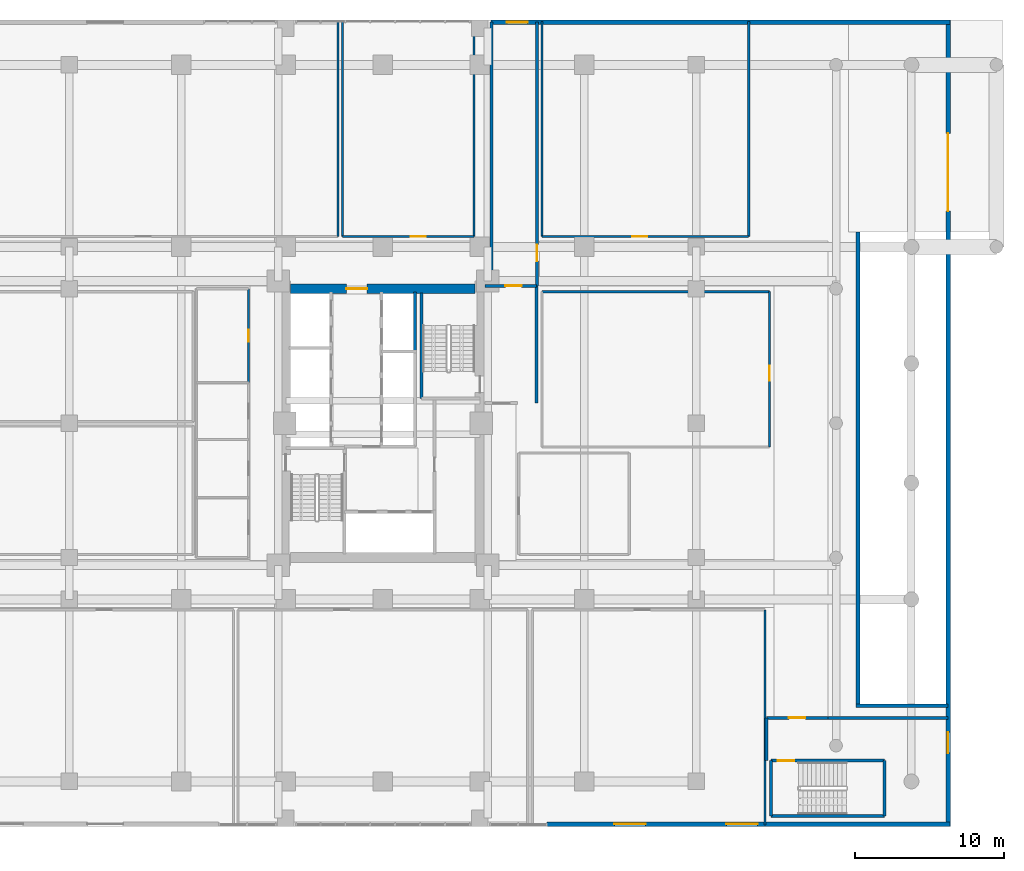
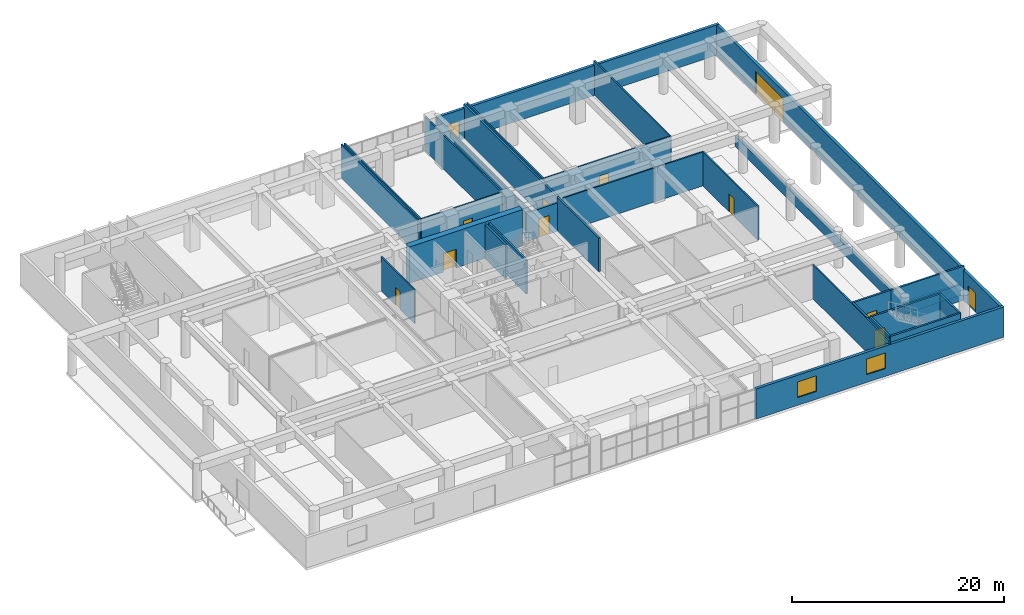
# One storey, part 16 of 24: 30 walls, 12 doors, 2 windows, 14 openings.
"""IFC4 building model written with IfcOpenShell, lengths in metres."""

from ifc_helpers import new_model, si_unit, direction, frame, frame_2d, origin, place, context, subcontext, project, spatial, rectangle, extrude, source, transform, mapped, material, layer, layer_set, type_object, element, fill, save


model = new_model("IFC4")

# Units and contexts
model_context = context("Model", 3, precision=1e-05, world=origin(), true_north=direction((0.0, 1.0)))
body_context = subcontext(model_context, "Body", "Model", "MODEL_VIEW")
ifc_project = project(units=[si_unit("LENGTHUNIT", "METRE"), si_unit("AREAUNIT", "SQUARE_METRE"), si_unit("VOLUMEUNIT", "CUBIC_METRE"), si_unit("PLANEANGLEUNIT", "RADIAN"), si_unit("MASSUNIT", "GRAM", prefix="KILO")], contexts=[model_context])

# Site, building, storey
site_placement = place(None, origin())
site = spatial("IfcSite", under=ifc_project, at=site_placement, CompositionType="ELEMENT")
building_placement = place(site_placement, origin())
building = spatial("IfcBuilding", under=site, at=building_placement, Name="Saelheon Loggia Tower", CompositionType="ELEMENT")
storey_placement = place(building_placement, origin())
storey = spatial("IfcBuildingStorey", under=building, at=storey_placement, Name="L00", CompositionType="ELEMENT", Elevation=0.0)

# Wall, opening, door
ifc_material_1 = material(Name="Concrete C60/75", Category="concrete")
ifc_layer_1 = layer(ifc_material_1, 0.64990234375)
ifc_layer_set_1 = layer_set([ifc_layer_1], Name="Concrete C60/75")
wall_type_1 = type_object("IfcWallType", Name="Wall_CoreShear_650", PredefinedType="SHEAR", material=ifc_layer_set_1)
wall_1_placement = place(storey_placement, frame((31.824951171875, 36.0, 0.0), z_axis=(0.0, 0.0, 1.0), x_axis=(1.0, 0.0, 0.0)))
wall_1 = element("IfcWall", 1, at=wall_1_placement, inside=storey, type_object=wall_type_1, Name="L00 Core Shear Wall North", PredefinedType="SHEAR", context=body_context, shape_type="SweptSolid", body=[
    extrude(rectangle(XDim=12.35009765625, YDim=0.64990234375, at=frame_2d((6.175048828125, 0.0))), origin(), (0.0, 0.0, 1.0), 4.199951171875),
])
opening_1_placement = place(wall_1_placement, frame((5.125, 0.0, 0.0), z_axis=(0.0, 0.0, 1.0), x_axis=(-1.0, 0.0, 0.0)))
opening_1 = element("IfcOpeningElement", 2, at=opening_1_placement, cuts=wall_1, Name="Opening D-FD2L", PredefinedType="OPENING", context=body_context, shape_type="SweptSolid", body=[
    extrude(rectangle(XDim=1.39990234375, YDim=2.14990234375, at=frame_2d((0.699951171875, 1.074951171875))), frame((0.0, 0.3369140625, 0.0), z_axis=(0.0, -1.0, 0.0), x_axis=(1.0, 0.0, 0.0)), (0.0, 0.0, 1.0), 0.673828125),
])
ifc_material_2 = material(Name="Galvanised Steel Glazed Lobby Fire Door", Category="steel")
door_type_1 = type_object("IfcDoorType", Name="Door_Fire_FD60_1400", OperationType="NOTDEFINED", PredefinedType="DOOR", material=ifc_material_2)
shared_shape_1 = source(origin(), body_context, "Body", "SweptSolid", [
    extrude(rectangle(XDim=1.39990234375, YDim=2.14990234375, at=frame_2d((0.699951171875, 1.074951171875))), frame((0.0, 0.02490234375, 0.0), z_axis=(0.0, -1.0, 0.0), x_axis=(1.0, 0.0, 0.0)), (0.0, 0.0, 1.0), 0.050048828125),
])
door_1_placement = place(opening_1_placement, origin())
door_1 = element("IfcDoor", 3, at=door_1_placement, inside=storey, type_object=door_type_1, Name="L00 Passenger Lift Lobby Main Door", OperationType="SINGLE_SWING_RIGHT", OverallHeight=2.14990234375, OverallWidth=1.39990234375, PredefinedType="DOOR", context=body_context, shape_type="MappedRepresentation", body=[
    mapped(shared_shape_1, transform((0.0, 0.0, 0.0), scale=1.0)),
])
fill(opening_1, door_1)

# Wall, openings, windows
ifc_material_3 = material(Name="Architectural Precast Concrete C40/50", Category="concrete")
ifc_layer_2 = layer(ifc_material_3, 0.300048828125)
ifc_layer_set_2 = layer_set([ifc_layer_2], Name="Architectural Precast Concrete C40/50")
wall_type_2 = type_object("IfcWallType", Name="Wall_Ext_Podium_300", PredefinedType="SOLIDWALL", material=ifc_layer_set_2)
wall_2_placement = place(storey_placement, frame((49.0, 0.14990234375, 0.0), z_axis=(0.0, 0.0, 1.0), x_axis=(1.0, 0.0, 0.0)))
wall_2 = element("IfcWall", 4, at=wall_2_placement, inside=storey, type_object=wall_type_2, Name="L00 Podium South-East Precast Wall", PredefinedType="SOLIDWALL", context=body_context, shape_type="SweptSolid", body=[
    extrude(rectangle(XDim=27.0, YDim=0.300048828125, at=frame_2d((13.5, 0.0))), origin(), (0.0, 0.0, 1.0), 3.47998046875),
])
opening_2_placement = place(wall_2_placement, frame((4.5, 0.0, 0.89990234375)))
opening_2 = element("IfcOpeningElement", 5, at=opening_2_placement, cuts=wall_2, Name="Opening WN-05", PredefinedType="OPENING", context=body_context, shape_type="SweptSolid", body=[
    extrude(rectangle(XDim=2.10009765625, YDim=1.800048828125, at=frame_2d((1.050048828125, 0.89990234375))), frame((0.0, 0.162109375, 0.0), z_axis=(0.0, -1.0, 0.0), x_axis=(1.0, 0.0, 0.0)), (0.0, 0.0, 1.0), 0.323974609375),
])
opening_3_placement = place(wall_2_placement, frame((12.0, 0.0, 0.89990234375)))
opening_3 = element("IfcOpeningElement", 6, at=opening_3_placement, cuts=wall_2, Name="Opening WN-05", PredefinedType="OPENING", context=body_context, shape_type="SweptSolid", body=[
    extrude(rectangle(XDim=2.10009765625, YDim=1.800048828125, at=frame_2d((1.050048828125, 0.89990234375))), frame((0.0, 0.162109375, 0.0), z_axis=(0.0, -1.0, 0.0), x_axis=(1.0, 0.0, 0.0)), (0.0, 0.0, 1.0), 0.323974609375),
])
ifc_material_4 = material(Name="Thermal-Break Aluminium and Triple Low-E Glass", Category="aluminium")
window_type = type_object("IfcWindowType", Name="Win_Clinic_2100x1800", PartitioningType="SINGLE_PANEL", PredefinedType="WINDOW", material=ifc_material_4)
shared_shape_2 = source(origin(), body_context, "Body", "SweptSolid", [
    extrude(rectangle(XDim=2.10009765625, YDim=1.800048828125, at=frame_2d((1.050048828125, 0.89990234375))), frame((0.0, 0.030029296875, 0.0), z_axis=(0.0, -1.0, 0.0), x_axis=(1.0, 0.0, 0.0)), (0.0, 0.0, 1.0), 0.06005859375),
])
window_1_placement = place(opening_2_placement, origin())
window_1 = element("IfcWindow", 7, at=window_1_placement, inside=storey, type_object=window_type, Name="L00 East Frontage Window 1", OverallHeight=1.800048828125, OverallWidth=2.10009765625, PartitioningType="SINGLE_PANEL", PredefinedType="WINDOW", context=body_context, shape_type="MappedRepresentation", body=[
    mapped(shared_shape_2, transform((0.0, 0.0, 0.0), scale=1.0)),
])
fill(opening_2, window_1)
window_2_placement = place(opening_3_placement, origin())
window_2 = element("IfcWindow", 8, at=window_2_placement, inside=storey, type_object=window_type, Name="L00 East Frontage Window 2", OverallHeight=1.800048828125, OverallWidth=2.10009765625, PartitioningType="SINGLE_PANEL", PredefinedType="WINDOW", context=body_context, shape_type="MappedRepresentation", body=[
    mapped(shared_shape_2, transform((0.0, 0.0, 0.0), scale=1.0)),
])
fill(opening_3, window_2)

# Wall, opening, door
wall_3_placement = place(storey_placement, frame((45.25, 53.85009765625, 0.0), z_axis=(0.0, 0.0, 1.0), x_axis=(1.0, 0.0, 0.0)))
wall_3 = element("IfcWall", 9, at=wall_3_placement, inside=storey, type_object=wall_type_2, Name="L00 Podium North-East Precast Wall", PredefinedType="SOLIDWALL", context=body_context, shape_type="SweptSolid", body=[
    extrude(rectangle(XDim=30.75, YDim=0.300048828125, at=frame_2d((15.375, 0.0))), origin(), (0.0, 0.0, 1.0), 3.47998046875),
])
opening_4_placement = place(wall_3_placement, frame((1.050048828125, 0.0, 0.0)))
opening_4 = element("IfcOpeningElement", 10, at=opening_4_placement, cuts=wall_3, Name="Opening DEX-1", PredefinedType="OPENING", context=body_context, shape_type="SweptSolid", body=[
    extrude(rectangle(XDim=1.39990234375, YDim=2.199951171875, at=frame_2d((0.699951171875, 1.10009765625))), frame((0.0, 0.162109375, 0.0), z_axis=(0.0, -1.0, 0.0), x_axis=(1.0, 0.0, 0.0)), (0.0, 0.0, 1.0), 0.323974609375),
])
ifc_material_5 = material(Name="Galvanised Steel Exit Door", Category="steel")
door_type_2 = type_object("IfcDoorType", Name="Door_ExitDischarge_1400", OperationType="NOTDEFINED", PredefinedType="DOOR", material=ifc_material_5)
shared_shape_3 = source(origin(), body_context, "Body", "SweptSolid", [
    extrude(rectangle(XDim=1.39990234375, YDim=2.199951171875, at=frame_2d((0.699951171875, 1.10009765625))), frame((0.0, 0.02490234375, 0.0), z_axis=(0.0, -1.0, 0.0), x_axis=(1.0, 0.0, 0.0)), (0.0, 0.0, 1.0), 0.050048828125),
])
door_2_placement = place(opening_4_placement, origin())
door_2 = element("IfcDoor", 11, at=door_2_placement, inside=storey, type_object=door_type_2, Name="Stair ST2 Final Street Exit Door", OperationType="SINGLE_SWING_RIGHT", OverallHeight=2.199951171875, OverallWidth=1.39990234375, PredefinedType="DOOR", context=body_context, shape_type="MappedRepresentation", body=[
    mapped(shared_shape_3, transform((0.0, 0.0, 0.0), scale=1.0)),
])
fill(opening_4, door_2)

# Wall, openings, doors
wall_4_placement = place(storey_placement, frame((75.85009765625, 0.0, 0.0), z_axis=(0.0, 0.0, 1.0), x_axis=(0.0, 1.0, 0.0)))
wall_4 = element("IfcWall", 12, at=wall_4_placement, inside=storey, type_object=wall_type_2, Name="L00 Podium East Precast Wall", PredefinedType="SOLIDWALL", context=body_context, shape_type="SweptSolid", body=[
    extrude(rectangle(XDim=54.0, YDim=0.300048828125, at=frame_2d((27.0, 0.0))), origin(), (0.0, 0.0, 1.0), 3.47998046875),
])
opening_5_placement = place(wall_4_placement, frame((6.2998046875, 0.0, 0.0), z_axis=(0.0, 0.0, 1.0), x_axis=(-1.0, 0.0, 0.0)))
opening_5 = element("IfcOpeningElement", 13, at=opening_5_placement, cuts=wall_4, Name="Opening DEX-1", PredefinedType="OPENING", context=body_context, shape_type="SweptSolid", body=[
    extrude(rectangle(XDim=1.39990234375, YDim=2.199951171875, at=frame_2d((0.699951171875, 1.10009765625))), frame((0.0, 0.162109375, 0.0), z_axis=(0.0, -1.0, 0.0), x_axis=(1.0, 0.0, 0.0)), (0.0, 0.0, 1.0), 0.323974609375),
])
opening_6_placement = place(wall_4_placement, frame((41.199951171875, 0.0, 0.0)))
opening_6 = element("IfcOpeningElement", 14, at=opening_6_placement, cuts=wall_4, Name="Opening VG1", PredefinedType="OPENING", context=body_context, shape_type="SweptSolid", body=[
    extrude(rectangle(XDim=5.199951171875, YDim=2.60009765625, at=frame_2d((2.60009765625, 1.300048828125))), frame((0.0, 0.162109375, 0.0), z_axis=(0.0, -1.0, 0.0), x_axis=(1.0, 0.0, 0.0)), (0.0, 0.0, 1.0), 0.323974609375),
])
door_3_placement = place(opening_5_placement, origin())
door_3 = element("IfcDoor", 15, at=door_3_placement, inside=storey, type_object=door_type_2, Name="Stair ST4 Final Street Exit Door", OperationType="SINGLE_SWING_RIGHT", OverallHeight=2.199951171875, OverallWidth=1.39990234375, PredefinedType="DOOR", context=body_context, shape_type="MappedRepresentation", body=[
    mapped(shared_shape_3, transform((0.0, 0.0, 0.0), scale=1.0)),
])
fill(opening_5, door_3)
ifc_material_6 = material(Name="Perforated Aluminium Security Shutter", Category="aluminium")
door_type_3 = type_object("IfcDoorType", Name="Gate_Vehicle_VG1", OperationType="ROLLINGUP", PredefinedType="GATE", material=ifc_material_6)
shared_shape_4 = source(origin(), body_context, "Body", "SweptSolid", [
    extrude(rectangle(XDim=5.199951171875, YDim=2.60009765625, at=frame_2d((2.60009765625, 1.300048828125))), frame((0.0, 0.02490234375, 0.0), z_axis=(0.0, -1.0, 0.0), x_axis=(1.0, 0.0, 0.0)), (0.0, 0.0, 1.0), 0.050048828125),
])
door_4_placement = place(opening_6_placement, origin())
door_4 = element("IfcDoor", 16, at=door_4_placement, inside=storey, type_object=door_type_3, Name="Basement Car Park Vehicle Entrance Shutter Gate VG1", OperationType="ROLLINGUP", OverallHeight=2.60009765625, OverallWidth=5.199951171875, PredefinedType="GATE", context=body_context, shape_type="MappedRepresentation", body=[
    mapped(shared_shape_4, transform((0.0, 0.0, 0.0), scale=1.0)),
])
fill(opening_6, door_4)

# Walls
ifc_layer_3 = layer(ifc_material_3, 0.25)
ifc_layer_set_3 = layer_set([ifc_layer_3], Name="Architectural Precast Concrete C40/50")
wall_type_3 = type_object("IfcWallType", Name="Wall_Parapet_250", PredefinedType="PARAPET", material=ifc_layer_set_3)
wall_5_placement = place(storey_placement, frame((69.824951171875, 7.949951171875, 0.0), z_axis=(0.0, 0.0, 1.0), x_axis=(0.0, 1.0, 0.0)))
element("IfcWall", 17, at=wall_5_placement, inside=storey, type_object=wall_type_3, Name="L00 Vehicle Ramp Well West Guard Wall", PredefinedType="PARAPET", context=body_context, shape_type="SweptSolid", body=[
    extrude(rectangle(XDim=31.85009765625, YDim=0.25, at=frame_2d((15.925048828125, 0.0))), origin(), (0.0, 0.0, 1.0), 1.25),
])
wall_6_placement = place(storey_placement, frame((69.699951171875, 8.074951171875, 0.0), z_axis=(0.0, 0.0, 1.0), x_axis=(1.0, 0.0, 0.0)))
element("IfcWall", 18, at=wall_6_placement, inside=storey, type_object=wall_type_3, Name="L00 Vehicle Ramp Well South Guard Wall", PredefinedType="PARAPET", context=body_context, shape_type="SweptSolid", body=[
    extrude(rectangle(XDim=6.150146484375, YDim=0.25, at=frame_2d((3.0751953125, 0.0))), origin(), (0.0, 0.0, 1.0), 1.25),
])

# Wall, opening, door
ifc_material_7 = material(Name="Lightweight Autoclaved Aerated Concrete Block and Acoustic Gypsum", Category="concrete")
ifc_layer_4 = layer(ifc_material_7, 0.14990234375)
ifc_layer_set_4 = layer_set([ifc_layer_4], Name="Lightweight Autoclaved Aerated Concrete Block and Acoustic Gypsum")
wall_type_4 = type_object("IfcWallType", Name="Wall_Part_150", PredefinedType="PARTITIONING", material=ifc_layer_set_4)
wall_7_placement = place(storey_placement, frame((29.0, 29.699951171875, 0.0), z_axis=(0.0, 0.0, 1.0), x_axis=(0.0, 1.0, 0.0)))
wall_7 = element("IfcWall", 19, at=wall_7_placement, inside=storey, type_object=wall_type_4, Name="PW-L00-WCS-E4", PredefinedType="PARTITIONING", context=body_context, shape_type="SweptSolid", body=[
    extrude(rectangle(XDim=6.300048828125, YDim=0.14990234375, at=frame_2d((3.14990234375, 0.0))), origin(), (0.0, 0.0, 1.0), 3.919921875),
])
opening_7_placement = place(wall_7_placement, frame((2.75, 0.0, 0.0)))
opening_7 = element("IfcOpeningElement", 20, at=opening_7_placement, cuts=wall_7, Name="Opening D-ST1", PredefinedType="OPENING", context=body_context, shape_type="SweptSolid", body=[
    extrude(rectangle(XDim=0.800048828125, YDim=2.050048828125, at=frame_2d((0.39990234375, 1.02490234375))), frame((0.0, 0.0869140625, 0.0), z_axis=(0.0, -1.0, 0.0), x_axis=(1.0, 0.0, 0.0)), (0.0, 0.0, 1.0), 0.173828125),
])
ifc_material_8 = material(Name="Powder-Coated Steel Store Door", Category="steel")
door_type_4 = type_object("IfcDoorType", Name="Door_Store_800", OperationType="NOTDEFINED", PredefinedType="DOOR", material=ifc_material_8)
shared_shape_5 = source(origin(), body_context, "Body", "SweptSolid", [
    extrude(rectangle(XDim=0.800048828125, YDim=2.050048828125, at=frame_2d((0.39990234375, 1.02490234375))), frame((0.0, 0.02490234375, 0.0), z_axis=(0.0, -1.0, 0.0), x_axis=(1.0, 0.0, 0.0)), (0.0, 0.0, 1.0), 0.050048828125),
])
door_5_placement = place(opening_7_placement, origin())
door_5 = element("IfcDoor", 21, at=door_5_placement, inside=storey, type_object=door_type_4, Name="L00 Clinic Janitor Door", OperationType="SINGLE_SWING_RIGHT", OverallHeight=2.050048828125, OverallWidth=0.800048828125, PredefinedType="DOOR", context=body_context, shape_type="MappedRepresentation", body=[
    mapped(shared_shape_5, transform((0.0, 0.0, 0.0), scale=1.0)),
])
fill(opening_7, door_5)

# Wall
wall_8_placement = place(storey_placement, frame((35.0, 39.5, 0.0), z_axis=(0.0, 0.0, 1.0), x_axis=(0.0, 1.0, 0.0)))
element("IfcWall", 22, at=wall_8_placement, inside=storey, type_object=wall_type_4, Name="PW-L00-RESLOB-E", PredefinedType="PARTITIONING", context=body_context, shape_type="SweptSolid", body=[
    extrude(rectangle(XDim=14.39990234375, YDim=0.14990234375, at=frame_2d((7.199951171875, 0.0))), origin(), (0.0, 0.0, 1.0), 3.919921875),
])

# Wall, opening, door
wall_9_placement = place(storey_placement, frame((35.300048828125, 39.5, 0.0), z_axis=(0.0, 0.0, 1.0), x_axis=(1.0, 0.0, 0.0)))
wall_9 = element("IfcWall", 23, at=wall_9_placement, inside=storey, type_object=wall_type_4, Name="PW-L00-CAFE-S", PredefinedType="PARTITIONING", context=body_context, shape_type="SweptSolid", body=[
    extrude(rectangle(XDim=8.800048828125, YDim=0.14990234375, at=frame_2d((4.39990234375, 0.0))), origin(), (0.0, 0.0, 1.0), 3.919921875),
])
opening_8_placement = place(wall_9_placement, frame((4.565673828125, 0.0, 0.0)))
opening_8 = element("IfcOpeningElement", 24, at=opening_8_placement, cuts=wall_9, Name="Opening D-IN1", PredefinedType="OPENING", context=body_context, shape_type="SweptSolid", body=[
    extrude(rectangle(XDim=1.0, YDim=2.10009765625, at=frame_2d((0.5, 1.050048828125))), frame((0.0, 0.0869140625, 0.0), z_axis=(0.0, -1.0, 0.0), x_axis=(1.0, 0.0, 0.0)), (0.0, 0.0, 1.0), 0.173828125),
])
ifc_material_9 = material(Name="Engineered Oak Acoustic Flush Door", Category="timber")
door_type_5 = type_object("IfcDoorType", Name="Door_Int_1000", OperationType="NOTDEFINED", PredefinedType="DOOR", material=ifc_material_9)
shared_shape_6 = source(origin(), body_context, "Body", "SweptSolid", [
    extrude(rectangle(XDim=1.0, YDim=2.10009765625, at=frame_2d((0.5, 1.050048828125))), frame((0.0, 0.02490234375, 0.0), z_axis=(0.0, -1.0, 0.0), x_axis=(1.0, 0.0, 0.0)), (0.0, 0.0, 1.0), 0.050048828125),
])
door_6_placement = place(opening_8_placement, origin())
door_6 = element("IfcDoor", 25, at=door_6_placement, inside=storey, type_object=door_type_5, Name="L00 Community Health Education Seminar Hall Door", OperationType="SINGLE_SWING_LEFT", OverallHeight=2.10009765625, OverallWidth=1.0, PredefinedType="DOOR", context=body_context, shape_type="MappedRepresentation", body=[
    mapped(shared_shape_6, transform((0.0, 0.0, 0.0), scale=1.0)),
])
fill(opening_8, door_6)

# Walls
for number, where, z_axis, x_axis, name in (
    (26, (35.300048828125, 39.5, 0.0), (0.0, 0.0, 1.0), (0.0, 1.0, 0.0), "PW-L00-CAFE-W"),
    (27, (44.10009765625, 39.5, 0.0), (0.0, 0.0, 1.0), (0.0, 1.0, 0.0), "PW-L00-CAFE-E"),
):
    element("IfcWall", number, at=place(storey_placement, frame(where, z_axis=z_axis, x_axis=x_axis)), inside=storey, type_object=wall_type_4, Name=name, PredefinedType="PARTITIONING", context=body_context, shape_type="SweptSolid", body=[
        extrude(rectangle(XDim=14.39990234375, YDim=0.14990234375, at=frame_2d((7.199951171875, 0.0))), origin(), (0.0, 0.0, 1.0), 3.919921875),
    ])

# Wall, opening, door
wall_10_placement = place(storey_placement, frame((48.64990234375, 39.5, 0.0), z_axis=(0.0, 0.0, 1.0), x_axis=(1.0, 0.0, 0.0)))
wall_10 = element("IfcWall", 28, at=wall_10_placement, inside=storey, type_object=wall_type_4, Name="PW-L00-CAFE2-S", PredefinedType="PARTITIONING", context=body_context, shape_type="SweptSolid", body=[
    extrude(rectangle(XDim=13.85009765625, YDim=0.14990234375, at=frame_2d((6.925048828125, 0.0))), origin(), (0.0, 0.0, 1.0), 3.919921875),
])
opening_9_placement = place(wall_10_placement, frame((6.04541015625, 0.0, 0.0)))
opening_9 = element("IfcOpeningElement", 29, at=opening_9_placement, cuts=wall_10, Name="Opening D-IN1", PredefinedType="OPENING", context=body_context, shape_type="SweptSolid", body=[
    extrude(rectangle(XDim=1.0, YDim=2.10009765625, at=frame_2d((0.5, 1.050048828125))), frame((0.0, 0.0869140625, 0.0), z_axis=(0.0, -1.0, 0.0), x_axis=(1.0, 0.0, 0.0)), (0.0, 0.0, 1.0), 0.173828125),
])
door_7_placement = place(opening_9_placement, origin())
door_7 = element("IfcDoor", 30, at=door_7_placement, inside=storey, type_object=door_type_5, Name="L00 Outpatient Preventive Health Lecture Room Door", OperationType="SINGLE_SWING_RIGHT", OverallHeight=2.10009765625, OverallWidth=1.0, PredefinedType="DOOR", context=body_context, shape_type="MappedRepresentation", body=[
    mapped(shared_shape_6, transform((0.0, 0.0, 0.0), scale=1.0)),
])
fill(opening_9, door_7)

# Walls
for number, where, z_axis, x_axis, name in (
    (31, (48.64990234375, 39.5, 0.0), (0.0, 0.0, 1.0), (0.0, 1.0, 0.0), "PW-L00-CAFE2-W"),
    (32, (62.5, 39.5, 0.0), (0.0, 0.0, 1.0), (0.0, 1.0, 0.0), "PW-L00-CAFE2-E"),
    (33, (63.60009765625, 0.10009765625, 0.0), (0.0, 0.0, 1.0), (0.0, 1.0, 0.0), "PW-L00-LOAD-E"),
):
    element("IfcWall", number, at=place(storey_placement, frame(where, z_axis=z_axis, x_axis=x_axis)), inside=storey, type_object=wall_type_4, Name=name, PredefinedType="PARTITIONING", context=body_context, shape_type="SweptSolid", body=[
        extrude(rectangle(XDim=14.39990234375, YDim=0.14990234375, at=frame_2d((7.199951171875, 0.0))), origin(), (0.0, 0.0, 1.0), 3.919921875),
    ])
wall_11_placement = place(storey_placement, frame((48.64990234375, 35.800048828125, 0.0), z_axis=(0.0, 0.0, 1.0), x_axis=(1.0, 0.0, 0.0)))
element("IfcWall", 34, at=wall_11_placement, inside=storey, type_object=wall_type_4, Name="PW-L00-ADMIN0-N", PredefinedType="PARTITIONING", context=body_context, shape_type="SweptSolid", body=[
    extrude(rectangle(XDim=15.25, YDim=0.14990234375, at=frame_2d((7.625, 0.0))), origin(), (0.0, 0.0, 1.0), 3.919921875),
])

# Wall, opening, door
wall_12_placement = place(storey_placement, frame((63.89990234375, 25.39990234375, 0.0), z_axis=(0.0, 0.0, 1.0), x_axis=(0.0, 1.0, 0.0)))
wall_12 = element("IfcWall", 35, at=wall_12_placement, inside=storey, type_object=wall_type_4, Name="PW-L00-ADMIN0-E", PredefinedType="PARTITIONING", context=body_context, shape_type="SweptSolid", body=[
    extrude(rectangle(XDim=10.400146484375, YDim=0.14990234375, at=frame_2d((5.2001953125, 0.0))), origin(), (0.0, 0.0, 1.0), 3.919921875),
])
opening_10_placement = place(wall_12_placement, frame((4.427978515625, 0.0, 0.0)))
opening_10 = element("IfcOpeningElement", 36, at=opening_10_placement, cuts=wall_12, Name="Opening D-IN1", PredefinedType="OPENING", context=body_context, shape_type="SweptSolid", body=[
    extrude(rectangle(XDim=1.0, YDim=2.10009765625, at=frame_2d((0.5, 1.050048828125))), frame((0.0, 0.0869140625, 0.0), z_axis=(0.0, -1.0, 0.0), x_axis=(1.0, 0.0, 0.0)), (0.0, 0.0, 1.0), 0.173828125),
])
door_8_placement = place(opening_10_placement, origin())
door_8 = element("IfcDoor", 37, at=door_8_placement, inside=storey, type_object=door_type_5, Name="L00 Health Centre Records Open Plan Office Door", OperationType="SINGLE_SWING_RIGHT", OverallHeight=2.10009765625, OverallWidth=1.0, PredefinedType="DOOR", context=body_context, shape_type="MappedRepresentation", body=[
    mapped(shared_shape_6, transform((0.0, 0.0, 0.0), scale=1.0)),
])
fill(opening_10, door_8)

# Walls
ifc_material_10 = material(Name="Concrete C40/50", Category="concrete")
ifc_layer_5 = layer(ifc_material_10, 0.199951171875)
ifc_layer_set_5 = layer_set([ifc_layer_5], Name="Concrete C40/50")
wall_type_5 = type_object("IfcWallType", Name="Wall_Shaft_200", PredefinedType="PARTITIONING", material=ifc_layer_set_5)
wall_13_placement = place(storey_placement, frame((40.14990234375, 31.800048828125, 0.0), z_axis=(0.0, 0.0, 1.0), x_axis=(0.0, 1.0, 0.0)))
element("IfcWall", 38, at=wall_13_placement, inside=storey, type_object=wall_type_5, Name="L00 East High-Rise Hoistway East Wall", PredefinedType="PARTITIONING", context=body_context, shape_type="SweptSolid", body=[
    extrude(rectangle(XDim=3.97998046875, YDim=0.199951171875, at=frame_2d((1.989990234375, 0.0))), origin(), (0.0, 0.0, 1.0), 3.919921875),
])
wall_14_placement = place(storey_placement, frame((48.300048828125, 28.35009765625, 0.0), z_axis=(0.0, 0.0, 1.0), x_axis=(0.0, 1.0, 0.0)))
element("IfcWall", 39, at=wall_14_placement, inside=storey, type_object=wall_type_5, Name="L00 Core East Exit Vestibule East Wall", PredefinedType="PARTITIONING", context=body_context, shape_type="SweptSolid", body=[
    extrude(rectangle(XDim=7.849853515625, YDim=0.199951171875, at=frame_2d((3.9248046875, 0.0))), origin(), (0.0, 0.0, 1.0), 3.919921875),
])

# Wall, opening, door
wall_15_placement = place(storey_placement, frame((44.840087890625, 36.199951171875, 0.0), z_axis=(0.0, 0.0, 1.0), x_axis=(1.0, 0.0, 0.0)))
wall_15 = element("IfcWall", 40, at=wall_15_placement, inside=storey, type_object=wall_type_5, Name="L00 Core East Exit Passageway Throat Wall", PredefinedType="PARTITIONING", context=body_context, shape_type="SweptSolid", body=[
    extrude(rectangle(XDim=3.4599609375, YDim=0.199951171875, at=frame_2d((1.72998046875, 0.0))), origin(), (0.0, 0.0, 1.0), 3.2900390625),
])
opening_11_placement = place(wall_15_placement, frame((1.360107421875, 0.0, 0.0)))
opening_11 = element("IfcOpeningElement", 41, at=opening_11_placement, cuts=wall_15, Name="Opening D-FD2", PredefinedType="OPENING", context=body_context, shape_type="SweptSolid", body=[
    extrude(rectangle(XDim=1.10009765625, YDim=2.14990234375, at=frame_2d((0.550048828125, 1.074951171875))), frame((0.0, 0.112060546875, 0.0), z_axis=(0.0, -1.0, 0.0), x_axis=(1.0, 0.0, 0.0)), (0.0, 0.0, 1.0), 0.223876953125),
])
ifc_material_11 = material(Name="Galvanised Steel Fire Door", Category="steel")
door_type_6 = type_object("IfcDoorType", Name="Door_Fire_FD60_1100", OperationType="NOTDEFINED", PredefinedType="DOOR", material=ifc_material_11)
shared_shape_7 = source(origin(), body_context, "Body", "SweptSolid", [
    extrude(rectangle(XDim=1.10009765625, YDim=2.14990234375, at=frame_2d((0.550048828125, 1.074951171875))), frame((0.0, 0.02490234375, 0.0), z_axis=(0.0, -1.0, 0.0), x_axis=(1.0, 0.0, 0.0)), (0.0, 0.0, 1.0), 0.050048828125),
])
door_9_placement = place(opening_11_placement, origin())
door_9 = element("IfcDoor", 42, at=door_9_placement, inside=storey, type_object=door_type_6, Name="L00 Core East Exit Passageway Door", OperationType="SINGLE_SWING_RIGHT", OverallHeight=2.14990234375, OverallWidth=1.10009765625, PredefinedType="DOOR", context=body_context, shape_type="MappedRepresentation", body=[
    mapped(shared_shape_7, transform((0.0, 0.0, 0.0), scale=1.0)),
])
fill(opening_11, door_9)

# Wall
wall_16_placement = place(storey_placement, frame((45.260009765625, 36.199951171875, 0.0), z_axis=(0.0, 0.0, 1.0), x_axis=(0.0, 1.0, 0.0)))
element("IfcWall", 43, at=wall_16_placement, inside=storey, type_object=wall_type_5, Name="L00 Core East Exit Passageway West Wall", PredefinedType="PARTITIONING", context=body_context, shape_type="SweptSolid", body=[
    extrude(rectangle(XDim=17.650146484375, YDim=0.199951171875, at=frame_2d((8.8251953125, 0.0))), origin(), (0.0, 0.0, 1.0), 3.43994140625),
])

# Wall, opening, door
wall_17_placement = place(storey_placement, frame((48.320068359375, 36.199951171875, 0.0), z_axis=(0.0, 0.0, 1.0), x_axis=(0.0, 1.0, 0.0)))
wall_17 = element("IfcWall", 44, at=wall_17_placement, inside=storey, type_object=wall_type_5, Name="L00 Core East Exit Passageway East Wall", PredefinedType="PARTITIONING", context=body_context, shape_type="SweptSolid", body=[
    extrude(rectangle(XDim=17.650146484375, YDim=0.199951171875, at=frame_2d((8.8251953125, 0.0))), origin(), (0.0, 0.0, 1.0), 3.919921875),
])
opening_12_placement = place(wall_17_placement, frame((1.64990234375, 0.0, 0.0)))
opening_12 = element("IfcOpeningElement", 45, at=opening_12_placement, cuts=wall_17, Name="Opening D-FD2", PredefinedType="OPENING", context=body_context, shape_type="SweptSolid", body=[
    extrude(rectangle(XDim=1.10009765625, YDim=2.14990234375, at=frame_2d((0.550048828125, 1.074951171875))), frame((0.0, 0.112060546875, 0.0), z_axis=(0.0, -1.0, 0.0), x_axis=(1.0, 0.0, 0.0)), (0.0, 0.0, 1.0), 0.223876953125),
])
door_10_placement = place(opening_12_placement, origin())
door_10 = element("IfcDoor", 46, at=door_10_placement, inside=storey, type_object=door_type_6, Name="L00 North-East Concourse Exit Access Door", OperationType="SINGLE_SWING_LEFT", OverallHeight=2.14990234375, OverallWidth=1.10009765625, PredefinedType="DOOR", context=body_context, shape_type="MappedRepresentation", body=[
    mapped(shared_shape_7, transform((0.0, 0.0, 0.0), scale=1.0)),
])
fill(opening_12, door_10)

# Wall
wall_18_placement = place(storey_placement, frame((63.699951171875, 4.389892578125, 0.0), z_axis=(0.0, 0.0, 1.0), x_axis=(0.0, 1.0, 0.0)))
element("IfcWall", 47, at=wall_18_placement, inside=storey, type_object=wall_type_5, Name="L00 East Exit Passageway West Wall", PredefinedType="PARTITIONING", context=body_context, shape_type="SweptSolid", body=[
    extrude(rectangle(XDim=2.8701171875, YDim=0.199951171875, at=frame_2d((1.43505859375, 0.0))), origin(), (0.0, 0.0, 1.0), 3.919921875),
])

# Wall, opening, door
wall_19_placement = place(storey_placement, frame((63.699951171875, 7.260009765625, 0.0), z_axis=(0.0, 0.0, 1.0), x_axis=(1.0, 0.0, 0.0)))
wall_19 = element("IfcWall", 48, at=wall_19_placement, inside=storey, type_object=wall_type_5, Name="L00 East Exit Passageway Concourse Wall", PredefinedType="PARTITIONING", context=body_context, shape_type="SweptSolid", body=[
    extrude(rectangle(XDim=4.10009765625, YDim=0.199951171875, at=frame_2d((2.050048828125, 0.0))), origin(), (0.0, 0.0, 1.0), 3.919921875),
])
opening_13_placement = place(wall_19_placement, frame((2.60009765625, 0.0, 0.0), z_axis=(0.0, 0.0, 1.0), x_axis=(-1.0, 0.0, 0.0)))
opening_13 = element("IfcOpeningElement", 49, at=opening_13_placement, cuts=wall_19, Name="Opening D-FD2", PredefinedType="OPENING", context=body_context, shape_type="SweptSolid", body=[
    extrude(rectangle(XDim=1.10009765625, YDim=2.14990234375, at=frame_2d((0.550048828125, 1.074951171875))), frame((0.0, 0.112060546875, 0.0), z_axis=(0.0, -1.0, 0.0), x_axis=(1.0, 0.0, 0.0)), (0.0, 0.0, 1.0), 0.223876953125),
])
door_11_placement = place(opening_13_placement, origin())
door_11 = element("IfcDoor", 50, at=door_11_placement, inside=storey, type_object=door_type_6, Name="L00 East Concourse Exit Passageway Door", OperationType="SINGLE_SWING_RIGHT", OverallHeight=2.14990234375, OverallWidth=1.10009765625, PredefinedType="DOOR", context=body_context, shape_type="MappedRepresentation", body=[
    mapped(shared_shape_7, transform((0.0, 0.0, 0.0), scale=1.0)),
])
fill(opening_13, door_11)

# Walls
wall_20_placement = place(storey_placement, frame((67.800048828125, 7.260009765625, 0.0), z_axis=(0.0, 0.0, 1.0), x_axis=(1.0, 0.0, 0.0)))
element("IfcWall", 51, at=wall_20_placement, inside=storey, type_object=wall_type_5, Name="L00 East Exit Passageway Separation Wall", PredefinedType="PARTITIONING", context=body_context, shape_type="SweptSolid", body=[
    extrude(rectangle(XDim=8.050048828125, YDim=0.199951171875, at=frame_2d((4.02490234375, 0.0))), origin(), (0.0, 0.0, 1.0), 3.919921875),
])
ifc_material_12 = material(Name="Concrete C45/55", Category="concrete")
ifc_layer_6 = layer(ifc_material_12, 0.199951171875)
ifc_layer_set_6 = layer_set([ifc_layer_6], Name="Concrete C45/55")
wall_type_6 = type_object("IfcWallType", Name="Wall_StairShaft_RC200", PredefinedType="SOLIDWALL", material=ifc_layer_set_6)
wall_21_placement = place(storey_placement, frame((40.570068359375, 28.64990234375, 0.0), z_axis=(0.0, 0.0, 1.0), x_axis=(0.0, 1.0, 0.0)))
element("IfcWall", 52, at=wall_21_placement, inside=storey, type_object=wall_type_6, Name="L00 Stair ST2 Shaft Wall", PredefinedType="SOLIDWALL", context=body_context, shape_type="SweptSolid", body=[
    extrude(rectangle(XDim=7.050048828125, YDim=0.199951171875, at=frame_2d((3.52490234375, 0.0))), origin(), (0.0, 0.0, 1.0), 3.919921875),
])
wall_22_placement = place(storey_placement, frame((63.989990234375, 0.68994140625, 0.0), z_axis=(0.0, 0.0, 1.0), x_axis=(1.0, 0.0, 0.0)))
element("IfcWall", 53, at=wall_22_placement, inside=storey, type_object=wall_type_6, Name="L00 ST4 Shaft South Wall", PredefinedType="SOLIDWALL", context=body_context, shape_type="SweptSolid", body=[
    extrude(rectangle(XDim=7.6201171875, YDim=0.199951171875, at=frame_2d((3.81005859375, 0.0))), origin(), (0.0, 0.0, 1.0), 3.919921875),
])

# Wall, opening, door
wall_23_placement = place(storey_placement, frame((63.989990234375, 4.389892578125, 0.0), z_axis=(0.0, 0.0, 1.0), x_axis=(1.0, 0.0, 0.0)))
wall_23 = element("IfcWall", 54, at=wall_23_placement, inside=storey, type_object=wall_type_6, Name="L00 ST4 Shaft North Wall", PredefinedType="SOLIDWALL", context=body_context, shape_type="SweptSolid", body=[
    extrude(rectangle(XDim=7.6201171875, YDim=0.199951171875, at=frame_2d((3.81005859375, 0.0))), origin(), (0.0, 0.0, 1.0), 3.919921875),
])
opening_14_placement = place(wall_23_placement, frame((0.449951171875, 0.0, 0.0)))
opening_14 = element("IfcOpeningElement", 55, at=opening_14_placement, cuts=wall_23, Name="Opening D-FD2", PredefinedType="OPENING", context=body_context, shape_type="SweptSolid", body=[
    extrude(rectangle(XDim=1.10009765625, YDim=2.14990234375, at=frame_2d((0.550048828125, 1.074951171875))), frame((0.0, 0.112060546875, 0.0), z_axis=(0.0, -1.0, 0.0), x_axis=(1.0, 0.0, 0.0)), (0.0, 0.0, 1.0), 0.223876953125),
])
door_12_placement = place(opening_14_placement, origin())
door_12 = element("IfcDoor", 56, at=door_12_placement, inside=storey, type_object=door_type_6, Name="L00 Escape Stair ST4 Door", OperationType="SINGLE_SWING_RIGHT", OverallHeight=2.14990234375, OverallWidth=1.10009765625, PredefinedType="DOOR", context=body_context, shape_type="MappedRepresentation", body=[
    mapped(shared_shape_7, transform((0.0, 0.0, 0.0), scale=1.0)),
])
fill(opening_14, door_12)

# Walls
for number, where, z_axis, x_axis, name in (
    (57, (63.989990234375, 0.68994140625, 0.0), (0.0, 0.0, 1.0), (0.0, 1.0, 0.0), "L00 ST4 Shaft West Wall"),
    (58, (71.610107421875, 0.68994140625, 0.0), (0.0, 0.0, 1.0), (0.0, 1.0, 0.0), "L00 ST4 Shaft East Wall"),
):
    element("IfcWall", number, at=place(storey_placement, frame(where, z_axis=z_axis, x_axis=x_axis)), inside=storey, type_object=wall_type_6, Name=name, PredefinedType="SOLIDWALL", context=body_context, shape_type="SweptSolid", body=[
        extrude(rectangle(XDim=3.699951171875, YDim=0.199951171875, at=frame_2d((1.85009765625, 0.0))), origin(), (0.0, 0.0, 1.0), 3.919921875),
    ])

save(model, "model.ifc")
